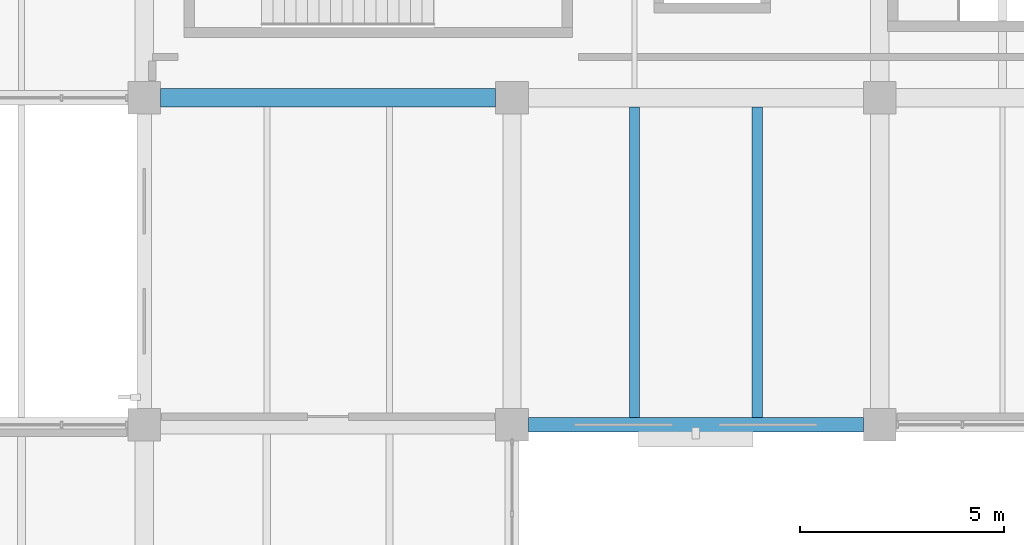
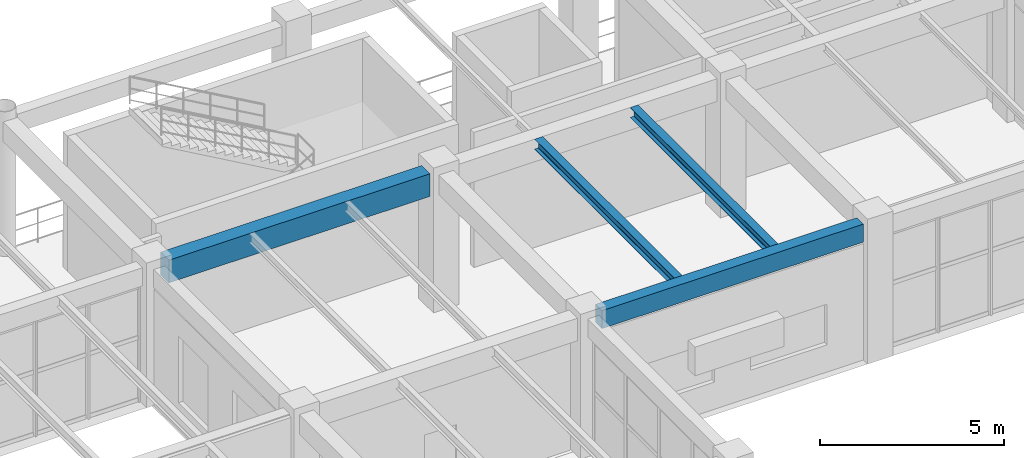
# One storey, part 32 of 178: 4 beams.
"""IFC4 building model written with IfcOpenShell, lengths in metres."""

from ifc_helpers import new_model, si_unit, derived_unit, direction, frame, origin, origin_2d, place, context, subcontext, project, spatial, rectangle, i_section, extrude, material, material_profile, profile_set, type_object, element, save


model = new_model("IFC4")

# Units and contexts
model_context = context("Model", 3, precision=1e-05, world=origin(), true_north=direction((0.0, 1.0)))
body_context = subcontext(model_context, "Body", "Model", "MODEL_VIEW")
ifc_project = project(units=[si_unit("LENGTHUNIT", "METRE"), si_unit("AREAUNIT", "SQUARE_METRE"), si_unit("VOLUMEUNIT", "CUBIC_METRE"), si_unit("PLANEANGLEUNIT", "RADIAN"), si_unit("MASSUNIT", "GRAM", prefix="KILO"), derived_unit("THERMALTRANSMITTANCEUNIT", [(si_unit("MASSUNIT", "GRAM", prefix="KILO"), 1), (si_unit("TIMEUNIT", "SECOND"), -3), (si_unit("THERMODYNAMICTEMPERATUREUNIT", "KELVIN"), -1)])], contexts=[model_context])

# Site, building, storey
site_placement = place(None, origin())
site = spatial("IfcSite", under=ifc_project, at=site_placement, CompositionType="ELEMENT")
building_placement = place(site_placement, origin())
building = spatial("IfcBuilding", under=site, at=building_placement, Name="Zhenchuan Archway Interchange", CompositionType="ELEMENT")
storey_placement = place(building_placement, frame((0.0, 0.0, 5.39990234375)))
storey = spatial("IfcBuildingStorey", under=building, at=storey_placement, Name="L01", CompositionType="ELEMENT", Elevation=5.39990234375)

# Beams
ifc_material_1 = material(Name="Concrete C40", Category="concrete")
ifc_material_profile_1 = material_profile(ifc_material_1, rectangle(XDim=0.449951171875, YDim=0.75, at=origin_2d()), Name="RC 450x750")
ifc_profile_set_1 = profile_set([ifc_material_profile_1], Name="Concrete C40")
beam_type_1 = type_object("IfcBeamType", Name="BM_RC_450x750", PredefinedType="BEAM", material=ifc_profile_set_1)
beam_1_placement = place(storey_placement, frame((36.39990234375, 24.0, 4.135009765625), z_axis=(1.0, 0.0, 0.0), x_axis=(0.0, 1.0, 0.0)))
element("IfcBeam", 1, at=beam_1_placement, inside=storey, type_object=beam_type_1, Name="Beam D:5-6 (L01)", PredefinedType="BEAM", context=body_context, shape_type="SweptSolid", body=[
    extrude(rectangle(XDim=0.449951171875, YDim=0.75, at=origin_2d()), origin(), (0.0, 0.0, 1.0), 8.2001953125),
])
ifc_material_2 = material(Name="Steel Q355", Category="steel")
ifc_material_profile_2 = material_profile(ifc_material_2, i_section(OverallWidth=0.25, OverallDepth=0.340087890625, WebThickness=0.009033203125, FlangeThickness=0.013916015625, FilletRadius=0.01806640625, at=origin_2d()), Name="HM 340x250")
ifc_profile_set_2 = profile_set([ifc_material_profile_2], Name="Steel Q355")
beam_type_2 = type_object("IfcBeamType", Name="JST_STL_HM340", PredefinedType="JOIST", material=ifc_profile_set_2)
for number, where, z_axis, x_axis, name in (
    (2, (48.0, 16.175048828125, 4.340087890625), (0.0, 1.0, 0.0), (-1.0, 0.0, 0.0), "Secondary joist 6-7/C-D #1 (L01)"),
    (3, (51.0, 16.175048828125, 4.340087890625), (0.0, 1.0, 0.0), (-1.0, 0.0, 0.0), "Secondary joist 6-7/C-D #2 (L01)"),
):
    element("IfcBeam", number, at=place(storey_placement, frame(where, z_axis=z_axis, x_axis=x_axis)), inside=storey, type_object=beam_type_2, Name=name, PredefinedType="JOIST", context=body_context, shape_type="SweptSolid", body=[
        extrude(i_section(OverallWidth=0.25, OverallDepth=0.340087890625, WebThickness=0.009033203125, FlangeThickness=0.013916015625, FilletRadius=0.01806640625, at=origin_2d()), origin(), (0.0, 0.0, 1.0), 7.599853515625),
    ])
ifc_material_profile_3 = material_profile(ifc_material_1, rectangle(XDim=0.35009765625, YDim=0.60009765625, at=origin_2d()), Name="RC 350x600")
ifc_profile_set_3 = profile_set([ifc_material_profile_3], Name="Concrete C40")
beam_type_3 = type_object("IfcBeamType", Name="SP_RC_350x600", PredefinedType="SPANDREL", material=ifc_profile_set_3)
beam_2_placement = place(storey_placement, frame((45.39990234375, 16.0, 4.210205078125), z_axis=(1.0, 0.0, 0.0), x_axis=(0.0, 1.0, 0.0)))
element("IfcBeam", 4, at=beam_2_placement, inside=storey, type_object=beam_type_3, Name="Beam C:6-7 (L01)", PredefinedType="SPANDREL", context=body_context, shape_type="SweptSolid", body=[
    extrude(rectangle(XDim=0.35009765625, YDim=0.60009765625, at=origin_2d()), origin(), (0.0, 0.0, 1.0), 8.2001953125),
])

save(model, "model.ifc")
